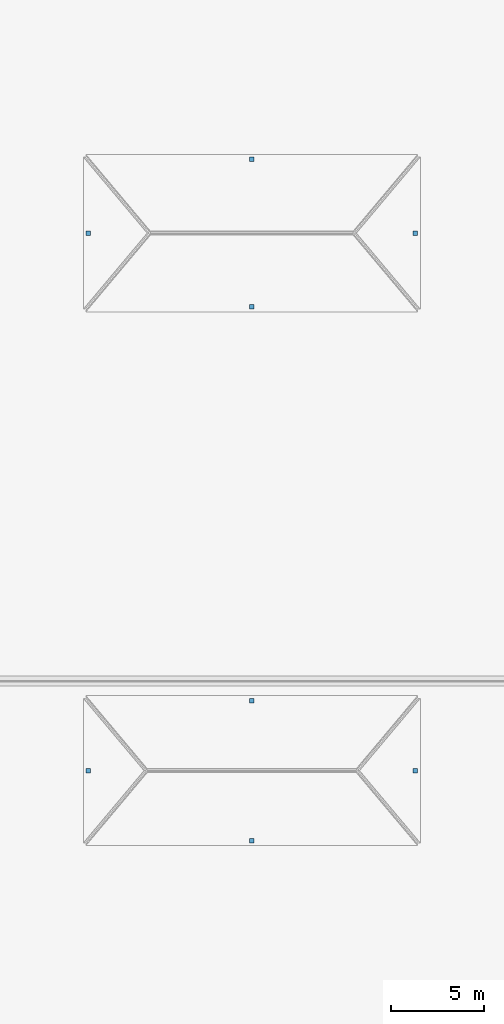
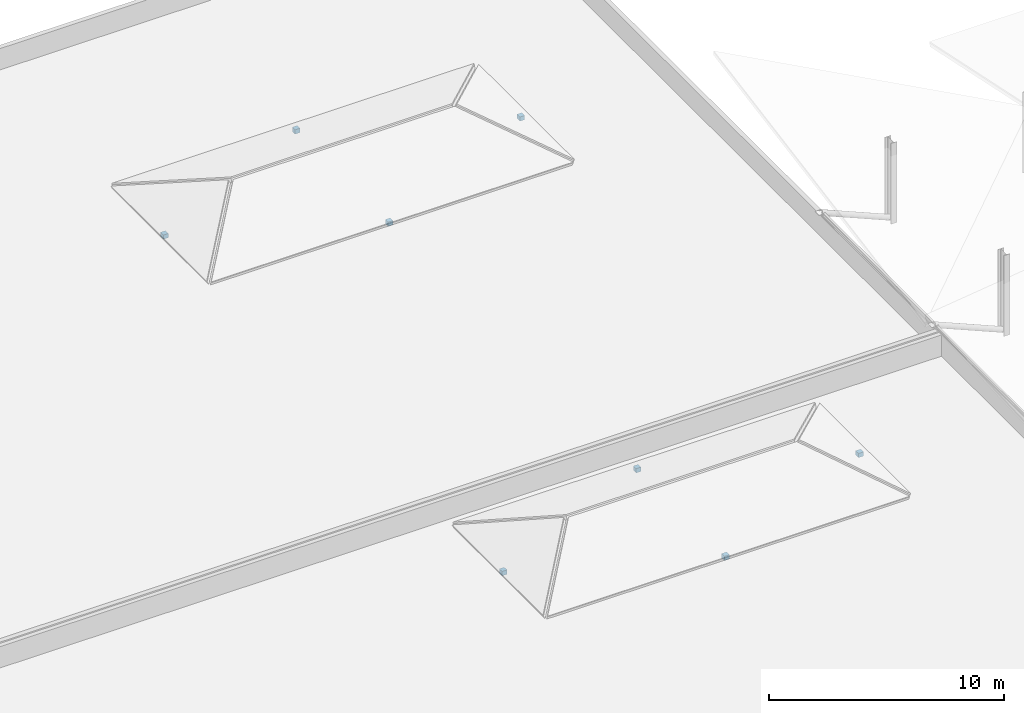
# One storey, part 58 of 81: 8 discrete accessories.
"""IFC4 building model written with IfcOpenShell, lengths in metres."""

from ifc_helpers import new_model, si_unit, direction, frame, origin, origin_2d, place, context, subcontext, project, spatial, rectangle, extrude, material, type_object, element, save


model = new_model("IFC4")

# Units and contexts
model_context = context("Model", 3, precision=1e-05, world=origin(), true_north=direction((0.0, 1.0)))
body_context = subcontext(model_context, "Body", "Model", "MODEL_VIEW")
ifc_project = project(units=[si_unit("LENGTHUNIT", "METRE"), si_unit("AREAUNIT", "SQUARE_METRE"), si_unit("VOLUMEUNIT", "CUBIC_METRE"), si_unit("PLANEANGLEUNIT", "RADIAN"), si_unit("MASSUNIT", "GRAM", prefix="KILO")], contexts=[model_context])

# Site, building, storey
site_placement = place(None, origin())
site = spatial("IfcSite", under=ifc_project, at=site_placement, CompositionType="ELEMENT")
building_placement = place(site_placement, origin())
building = spatial("IfcBuilding", under=site, at=building_placement, Name="Myrtia Square Station", CompositionType="ELEMENT")
storey_placement = place(building_placement, frame((0.0, 0.0, 10.800048828125)))
storey = spatial("IfcBuildingStorey", under=building, at=storey_placement, Name="L02", CompositionType="ELEMENT", Elevation=10.800048828125)

# Discrete accessories
ifc_material = material(Name="Steel S355", Category="steel")
discrete_accessory_type = type_object("IfcDiscreteAccessoryType", Name="ACC-HIP-SHOE", PredefinedType="BRACKET", material=ifc_material)
for number, where, z_axis, x_axis, name in (
    (1, (54.0, 77.85009765625, -0.0302734375), (0.0, 0.0, 1.0), (1.0, 0.0, 0.0), "Hipped roof eave shoe bracket MON-V1-3-S"),
    (2, (54.0, 85.35009765625, -0.0302734375), (0.0, 0.0, 1.0), (1.0, 0.0, 0.0), "Hipped roof eave shoe bracket MON-V1-3-N"),
    (3, (45.25, 81.60009765625, -0.0302734375), (0.0, 0.0, 1.0), (1.0, 0.0, 0.0), "Hipped roof eave shoe bracket MON-V1-3-W"),
    (4, (62.75, 81.60009765625, -0.0302734375), (0.0, 0.0, 1.0), (1.0, 0.0, 0.0), "Hipped roof eave shoe bracket MON-V1-3-E"),
    (5, (54.0, 106.449951171875, -0.0302734375), (0.0, 0.0, 1.0), (1.0, 0.0, 0.0), "Hipped roof eave shoe bracket MON-V1-4-S"),
    (6, (54.0, 114.35009765625, -0.0302734375), (0.0, 0.0, 1.0), (1.0, 0.0, 0.0), "Hipped roof eave shoe bracket MON-V1-4-N"),
    (7, (45.25, 110.39990234375, -0.0302734375), (0.0, 0.0, 1.0), (1.0, 0.0, 0.0), "Hipped roof eave shoe bracket MON-V1-4-W"),
    (8, (62.75, 110.39990234375, -0.0302734375), (0.0, 0.0, 1.0), (1.0, 0.0, 0.0), "Hipped roof eave shoe bracket MON-V1-4-E"),
):
    element("IfcDiscreteAccessory", number, at=place(storey_placement, frame(where, z_axis=z_axis, x_axis=x_axis)), inside=storey, type_object=discrete_accessory_type, Name=name, PredefinedType="BRACKET", context=body_context, shape_type="SweptSolid", body=[
        extrude(rectangle(XDim=0.239990234375, YDim=0.239990234375, at=origin_2d()), origin(), (0.0, 0.0, 1.0), 0.219970703125),
    ])

save(model, "model.ifc")
